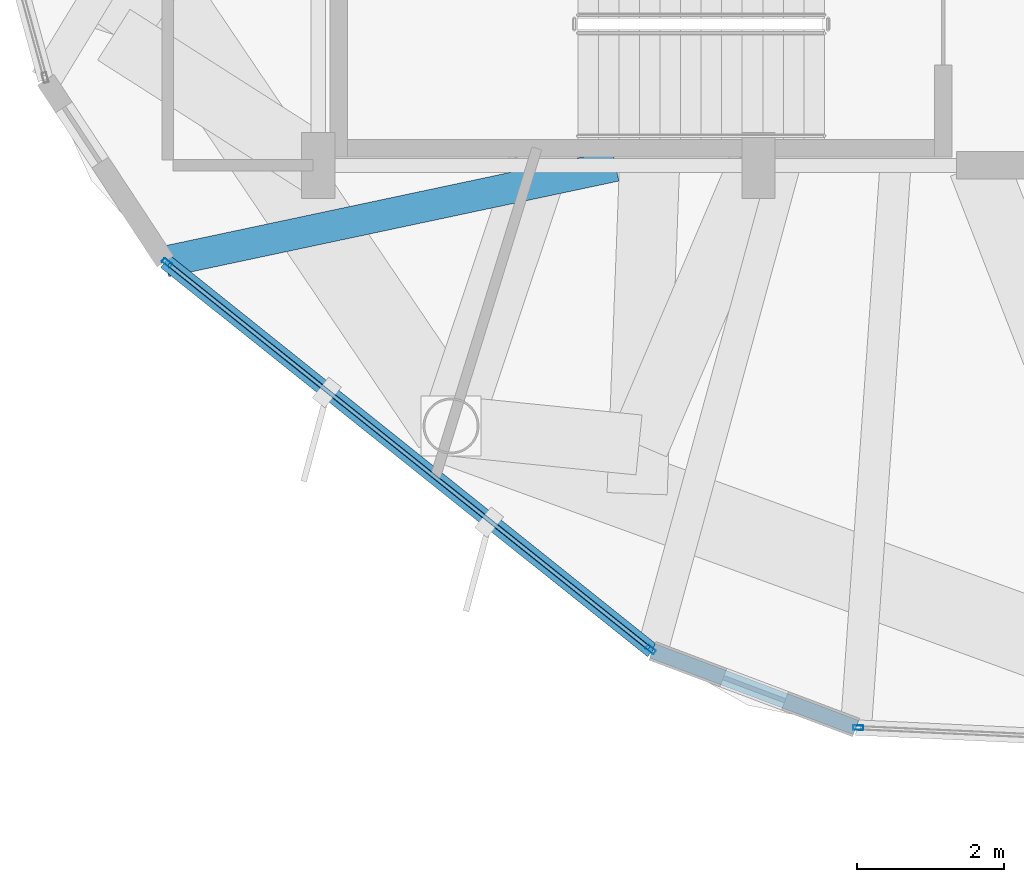
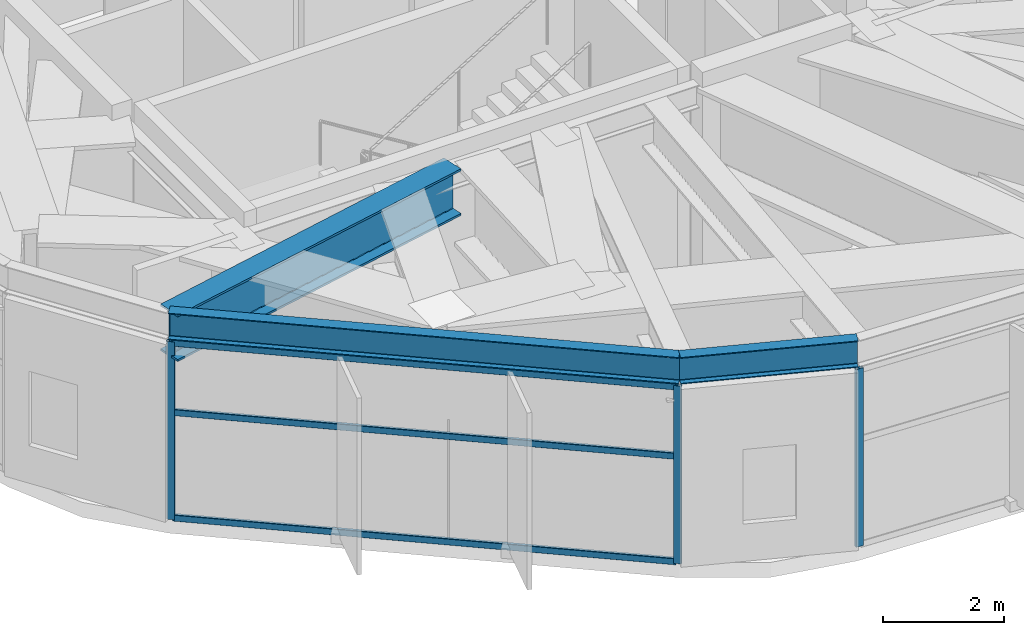
# One storey, part 2 of 27: 6 members, 3 beams, 2 elements without a shape of their own.
"""IFC4 building model written with IfcOpenShell, lengths in metres."""

from ifc_helpers import new_model, si_unit, direction, frame, origin, origin_2d, place, context, subcontext, project, spatial, hollow_rectangle, i_section, extrude, material, layer, layer_set, material_profile, profile_set, type_object, element, aggregate, save


model = new_model("IFC4")

# Units and contexts
model_context = context("Model", 3, precision=1e-05, world=origin(), true_north=direction((0.0, 1.0)))
body_context = subcontext(model_context, "Body", "Model", "MODEL_VIEW")
ifc_project = project(units=[si_unit("LENGTHUNIT", "METRE"), si_unit("AREAUNIT", "SQUARE_METRE"), si_unit("VOLUMEUNIT", "CUBIC_METRE"), si_unit("PLANEANGLEUNIT", "RADIAN"), si_unit("MASSUNIT", "GRAM", prefix="KILO")], contexts=[model_context])

# Site, building, storey
site_placement = place(None, origin())
site = spatial("IfcSite", under=ifc_project, at=site_placement, CompositionType="ELEMENT")
building_placement = place(site_placement, origin())
building = spatial("IfcBuilding", under=site, at=building_placement, Name="Soratama Intermodal Tower", CompositionType="ELEMENT")
storey_placement = place(building_placement, frame((0.0, 0.0, 288.550048828125)))
storey = spatial("IfcBuildingStorey", under=building, at=storey_placement, Name="L73", CompositionType="ELEMENT", Elevation=288.550048828125)

# Beams
ifc_material_1 = material(Name="Structural steel ASTM A992 Grade 50", Category="steel")
ifc_material_profile_1 = material_profile(ifc_material_1, i_section(OverallWidth=0.423095703125, OverallDepth=0.93896484375, WebThickness=0.02392578125, FlangeThickness=0.042724609375, FilletRadius=0.02392578125, at=origin_2d()), Name="W36X302")
ifc_profile_set_1 = profile_set([ifc_material_profile_1], Name="Structural steel ASTM A992 Grade 50")
beam_type_1 = type_object("IfcBeamType", Name="BM-POD-W36X302", PredefinedType="BEAM", material=ifc_profile_set_1)
beam_1_placement = place(storey_placement, frame((36.654052734375, 14.991943359375, 3.725341796875), z_axis=(-0.978170418662, -0.207804311924, 0.0), x_axis=(0.207804311924, -0.978170418662, 0.0)))
element("IfcBeam", 1, at=beam_1_placement, inside=storey, type_object=beam_type_1, Name="BM-L73-TIE0-05", PredefinedType="BEAM", context=body_context, shape_type="SweptSolid", body=[
    extrude(i_section(OverallWidth=0.423095703125, OverallDepth=0.93896484375, WebThickness=0.02392578125, FlangeThickness=0.042724609375, FilletRadius=0.02392578125, at=origin_2d()), origin(), (0.0, 0.0, 1.0), 6.27490234375),
])
ifc_material_2 = material(Name="Structural steel ASTM A992 Grade 50", Category="steel")
ifc_material_profile_2 = material_profile(ifc_material_2, i_section(OverallWidth=0.2099609375, OverallDepth=0.537109375, WebThickness=0.010986328125, FlangeThickness=0.017333984375, FilletRadius=0.012939453125, at=origin_2d()), Name="W21X68")
ifc_profile_set_2 = profile_set([ifc_material_profile_2], Name="Structural steel ASTM A992 Grade 50")
beam_type_2 = type_object("IfcBeamType", Name="BM-SPN-W21X68", PredefinedType="SPANDREL", material=ifc_profile_set_2)
beam_2_placement = place(storey_placement, frame((30.51611328125, 13.68798828125, 3.926513671875), z_axis=(0.781112560179, -0.624390237216, 0.0), x_axis=(0.624390237216, 0.781112560179, 0.0)))
element("IfcBeam", 2, at=beam_2_placement, inside=storey, type_object=beam_type_2, Name="BS-L73-F05", PredefinedType="SPANDREL", context=body_context, shape_type="SweptSolid", body=[
    extrude(i_section(OverallWidth=0.2099609375, OverallDepth=0.537109375, WebThickness=0.010986328125, FlangeThickness=0.017333984375, FilletRadius=0.012939453125, at=origin_2d()), origin(), (0.0, 0.0, 1.0), 8.499267578125),
])
beam_3_placement = place(storey_placement, frame((37.155029296875, 8.381103515625, 3.926513671875), z_axis=(0.935752948389, -0.352656234287, 0.0), x_axis=(0.352656234287, 0.935752948389, 0.0)))
element("IfcBeam", 3, at=beam_3_placement, inside=storey, type_object=beam_type_2, Name="BS-L73-CRN05", PredefinedType="SPANDREL", context=body_context, shape_type="SweptSolid", body=[
    extrude(i_section(OverallWidth=0.2099609375, OverallDepth=0.537109375, WebThickness=0.010986328125, FlangeThickness=0.017333984375, FilletRadius=0.012939453125, at=origin_2d()), origin(), (0.0, 0.0, 1.0), 2.966552734375),
])

# Curtain wall, members
ifc_material_3 = material(Name="Double-glazed aluminium curtain wall", Category="aluminium")
ifc_layer = layer(ifc_material_3, 0.159912109375)
ifc_layer_set = layer_set([ifc_layer], Name="Double-glazed aluminium curtain wall")
curtain_wall_type = type_object("IfcCurtainWallType", Name="CW-SYS-6", PredefinedType="NOTDEFINED", material=ifc_layer_set)
curtain_wall_1_placement = place(storey_placement, origin())
curtain_wall_1 = element("IfcCurtainWall", 4, at=curtain_wall_1_placement, inside=storey, type_object=curtain_wall_type, Name="L73 Faceted Curtain Wall F05", PredefinedType="NOTDEFINED")
ifc_material_4 = material(Name="Anodised aluminium AA 6063-T6", Category="aluminium")
ifc_material_profile_3 = material_profile(ifc_material_4, hollow_rectangle(XDim=0.06494140625, YDim=0.139892578125, WallThickness=0.0048828125, InnerFilletRadius=0.0048828125, OuterFilletRadius=0.010009765625, at=origin_2d()), Name="CWM140X65X5")
ifc_profile_set_3 = profile_set([ifc_material_profile_3], Name="Anodised aluminium AA 6063-T6")
member_type_1 = type_object("IfcMemberType", Name="MT-CWM-6", PredefinedType="MULLION", material=ifc_profile_set_3)
member_1_placement = place(storey_placement, frame((30.539306640625, 13.66943359375, 0.0), z_axis=(0.0, 0.0, 1.0), x_axis=(0.624423842519, 0.781085696255, 0.0)))
member_1 = element("IfcMember", 5, at=member_1_placement, type_object=member_type_1, Name="CW-6 mullion 1", PredefinedType="MULLION", context=body_context, shape_type="SweptSolid", body=[
    extrude(hollow_rectangle(XDim=0.06494140625, YDim=0.139892578125, WallThickness=0.0048828125, InnerFilletRadius=0.0048828125, OuterFilletRadius=0.010009765625, at=origin_2d()), origin(), (0.0, 0.0, 1.0), 3.573974609375),
])
member_2_placement = place(storey_placement, frame((37.13134765625, 8.3994140625, 0.0), z_axis=(0.0, 0.0, 1.0), x_axis=(0.624423842519, 0.781085696255, 0.0)))
member_2 = element("IfcMember", 6, at=member_2_placement, type_object=member_type_1, Name="CW-6 mullion 2", PredefinedType="MULLION", context=body_context, shape_type="SweptSolid", body=[
    extrude(hollow_rectangle(XDim=0.06494140625, YDim=0.139892578125, WallThickness=0.0048828125, InnerFilletRadius=0.0048828125, OuterFilletRadius=0.010009765625, at=origin_2d()), origin(), (0.0, 0.0, 1.0), 3.573974609375),
])

# Curtain wall, member
curtain_wall_2_placement = place(storey_placement, origin())
curtain_wall_2 = element("IfcCurtainWall", 7, at=curtain_wall_2_placement, inside=storey, type_object=curtain_wall_type, Name="L73 Faceted Curtain Wall F06", PredefinedType="NOTDEFINED")
member_3_placement = place(storey_placement, frame((39.961181640625, 7.33349609375, 0.0), z_axis=(0.0, 0.0, 1.0), x_axis=(0.04606033486, 0.998938659555, 0.0)))
member_3 = element("IfcMember", 8, at=member_3_placement, type_object=member_type_1, Name="CW-6 mullion 1", PredefinedType="MULLION", context=body_context, shape_type="SweptSolid", body=[
    extrude(hollow_rectangle(XDim=0.06494140625, YDim=0.139892578125, WallThickness=0.0048828125, InnerFilletRadius=0.0048828125, OuterFilletRadius=0.010009765625, at=origin_2d()), origin(), (0.0, 0.0, 1.0), 3.573974609375),
])
aggregate(curtain_wall_2, [member_3])

# Member
ifc_material_5 = material(Name="Anodised aluminium AA 6063-T6", Category="aluminium")
ifc_material_profile_4 = material_profile(ifc_material_5, hollow_rectangle(XDim=0.06005859375, YDim=0.1298828125, WallThickness=0.0048828125, InnerFilletRadius=0.0048828125, OuterFilletRadius=0.010009765625, at=origin_2d()), Name="CWT130X60X5")
ifc_profile_set_4 = profile_set([ifc_material_profile_4], Name="Anodised aluminium AA 6063-T6")
member_type_2 = type_object("IfcMemberType", Name="TT-CWT-2", PredefinedType="USERDEFINED", material=ifc_profile_set_4)
member_4_placement = place(storey_placement, frame((30.562744140625, 13.650634765625, 0.030029296875), z_axis=(0.781081939423, -0.624428541874, 0.0), x_axis=(0.624428541874, 0.781081939423, 0.0)))
member_4 = element("IfcMember", 9, at=member_4_placement, type_object=member_type_2, Name="CW-6 transom 1.1", ObjectType="TRANSOM", PredefinedType="USERDEFINED", context=body_context, shape_type="SweptSolid", body=[
    extrude(hollow_rectangle(XDim=0.06005859375, YDim=0.1298828125, WallThickness=0.0048828125, InnerFilletRadius=0.0048828125, OuterFilletRadius=0.010009765625, at=origin_2d()), origin(), (0.0, 0.0, 1.0), 8.3798828125),
])

member_5_placement = place(storey_placement, frame((30.562744140625, 13.650634765625, 2.14990234375), z_axis=(0.781081939423, -0.624428541874, 0.0), x_axis=(0.624428541874, 0.781081939423, 0.0)))
member_5 = element("IfcMember", 10, at=member_5_placement, type_object=member_type_2, Name="CW-6 transom 1.2", ObjectType="TRANSOM", PredefinedType="USERDEFINED", context=body_context, shape_type="SweptSolid", body=[
    extrude(hollow_rectangle(XDim=0.06005859375, YDim=0.1298828125, WallThickness=0.0048828125, InnerFilletRadius=0.0048828125, OuterFilletRadius=0.010009765625, at=origin_2d()), origin(), (0.0, 0.0, 1.0), 8.3798828125),
])

member_6_placement = place(storey_placement, frame((30.562744140625, 13.650634765625, 3.5439453125), z_axis=(0.781081939423, -0.624428541874, 0.0), x_axis=(0.624428541874, 0.781081939423, 0.0)))
member_6 = element("IfcMember", 11, at=member_6_placement, type_object=member_type_2, Name="CW-6 transom 1.3", ObjectType="TRANSOM", PredefinedType="USERDEFINED", context=body_context, shape_type="SweptSolid", body=[
    extrude(hollow_rectangle(XDim=0.06005859375, YDim=0.1298828125, WallThickness=0.0048828125, InnerFilletRadius=0.0048828125, OuterFilletRadius=0.010009765625, at=origin_2d()), origin(), (0.0, 0.0, 1.0), 8.3798828125),
])

aggregate(curtain_wall_1, [member_1, member_2, member_4, member_5, member_6])

save(model, "model.ifc")
